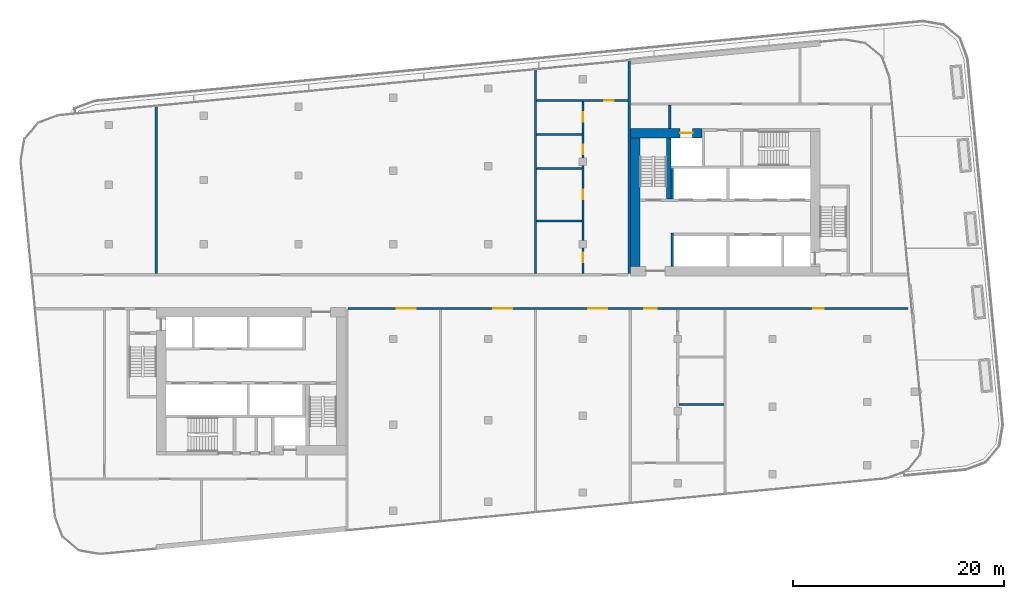
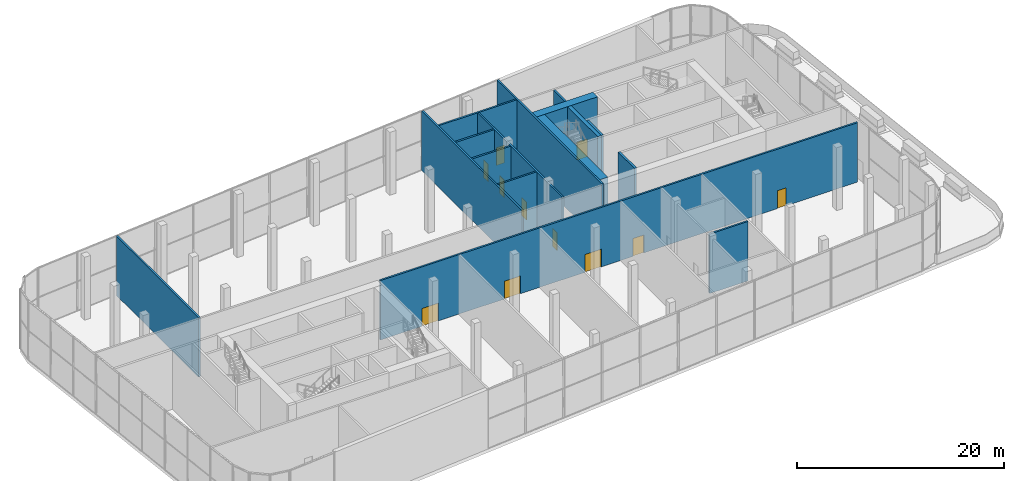
# One storey, part 14 of 25: 16 walls, 11 doors, 11 openings.
"""IFC4 building model written with IfcOpenShell, lengths in metres."""

from ifc_helpers import new_model, si_unit, direction, frame, frame_2d, origin, place, context, subcontext, project, spatial, rectangle, extrude, material, layer, layer_set, type_object, element, fill, save


model = new_model("IFC4")

# Units and contexts
model_context = context("Model", 3, precision=1e-05, world=origin(), true_north=direction((0.0, 1.0)))
body_context = subcontext(model_context, "Body", "Model", "MODEL_VIEW")
ifc_project = project(units=[si_unit("LENGTHUNIT", "METRE"), si_unit("AREAUNIT", "SQUARE_METRE"), si_unit("VOLUMEUNIT", "CUBIC_METRE"), si_unit("PLANEANGLEUNIT", "RADIAN"), si_unit("MASSUNIT", "GRAM", prefix="KILO")], contexts=[model_context])

# Site, building, storey
site_placement = place(None, origin())
site = spatial("IfcSite", under=ifc_project, at=site_placement, CompositionType="ELEMENT")
building_placement = place(site_placement, origin())
building = spatial("IfcBuilding", under=site, at=building_placement, Name="Kajstack Hotel Tower", CompositionType="ELEMENT")
storey_placement = place(building_placement, frame((0.0, 0.0, 155.0)))
storey = spatial("IfcBuildingStorey", under=building, at=storey_placement, Name="L36", CompositionType="ELEMENT", Elevation=155.0)

# Wall, opening, door
ifc_material_1 = material(Name="Concrete C60/75", Category="concrete")
ifc_layer_1 = layer(ifc_material_1, 0.89990234375)
ifc_layer_set_1 = layer_set([ifc_layer_1], Name="Core wall 900")
wall_type_1 = type_object("IfcWallType", Name="Core wall 900", PredefinedType="SHEAR", material=ifc_layer_set_1)
wall_1_placement = place(storey_placement, frame((13.5, 15.050048828125, 0.0), z_axis=(0.0, 0.0, 1.0), x_axis=(1.0, 0.0, 0.0)))
wall_1 = element("IfcWall", 1, at=wall_1_placement, inside=storey, type_object=wall_type_1, Name="Core wall E RS", PredefinedType="SHEAR", context=body_context, shape_type="SweptSolid", body=[
    extrude(rectangle(XDim=6.800048828125, YDim=0.89990234375, at=frame_2d((3.39990234375, 0.0))), origin(), (0.0, 0.0, 1.0), 7.0),
])
opening_1_placement = place(wall_1_placement, frame((4.72509765625, 0.0, 0.0)))
opening_1 = element("IfcOpeningElement", 2, at=opening_1_placement, cuts=wall_1, Name="Opening LD-SV2", PredefinedType="OPENING", context=body_context, shape_type="SweptSolid", body=[
    extrude(rectangle(XDim=1.199951171875, YDim=2.10009765625, at=frame_2d((0.60009765625, 1.050048828125))), frame((0.0, 0.4599609375, 0.0), z_axis=(0.0, -1.0, 0.0), x_axis=(1.0, 0.0, 0.0)), (0.0, 0.0, 1.0), 0.919921875),
])
ifc_material_2 = material(Name="Stainless steel", Category="steel")
door_type_1 = type_object("IfcDoorType", Name="Lift landing door 1200", OperationType="SLIDING_TO_LEFT", PredefinedType="DOOR", material=ifc_material_2)
door_1_placement = place(opening_1_placement, origin())
door_1 = element("IfcDoor", 3, at=door_1_placement, inside=storey, type_object=door_type_1, Name="Landing door SV2", OperationType="SLIDING_TO_LEFT", OverallHeight=2.10009765625, OverallWidth=1.199951171875, PredefinedType="DOOR", context=body_context, shape_type="SweptSolid", body=[
    extrude(rectangle(XDim=1.199951171875, YDim=2.10009765625, at=frame_2d((0.60009765625, 1.050048828125))), frame((0.0, 0.02490234375, 0.0), z_axis=(0.0, -1.0, 0.0), x_axis=(1.0, 0.0, 0.0)), (0.0, 0.0, 1.0), 0.050048828125),
])
fill(opening_1, door_1)

# Wall
wall_2_placement = place(storey_placement, frame((13.949951171875, 2.39990234375, 0.0), z_axis=(0.0, 0.0, 1.0), x_axis=(0.0, 1.0, 0.0)))
element("IfcWall", 4, at=wall_2_placement, inside=storey, type_object=wall_type_1, Name="Core wall E RE", PredefinedType="SHEAR", context=body_context, shape_type="SweptSolid", body=[
    extrude(rectangle(XDim=12.2001953125, YDim=0.89990234375, at=frame_2d((6.10009765625, 0.0))), origin(), (0.0, 0.0, 1.0), 7.0),
])

# Wall, openings, doors
ifc_material_3 = material(Name="Gypsum board on steel studs, mineral wool", Category="steel")
ifc_layer_2 = layer(ifc_material_3, 0.199951171875)
ifc_layer_set_2 = layer_set([ifc_layer_2], Name="Public partition 200")
wall_type_2 = type_object("IfcWallType", Name="Public partition 200", PredefinedType="PARTITIONING", material=ifc_layer_set_2)
wall_3_placement = place(storey_placement, frame((9.0, 1.699951171875, 0.0), z_axis=(0.0, 0.0, 1.0), x_axis=(0.0, 1.0, 0.0)))
wall_3 = element("IfcWall", 5, at=wall_3_placement, inside=storey, type_object=wall_type_2, Name="Partition C0CW", PredefinedType="PARTITIONING", context=body_context, shape_type="SweptSolid", body=[
    extrude(rectangle(XDim=16.351318359375, YDim=0.199951171875, at=frame_2d((8.17578125, 0.0))), origin(), (0.0, 0.0, 1.0), 7.0),
])
opening_2_placement = place(wall_3_placement, frame((1.10009765625, 0.0, 0.0)))
opening_2 = element("IfcOpeningElement", 6, at=opening_2_placement, cuts=wall_3, Name="Opening 36P02", PredefinedType="OPENING", context=body_context, shape_type="SweptSolid", body=[
    extrude(rectangle(XDim=0.89990234375, YDim=2.10009765625, at=frame_2d((0.449951171875, 1.050048828125))), frame((0.0, 0.10986328125, 0.0), z_axis=(0.0, -1.0, 0.0), x_axis=(1.0, 0.0, 0.0)), (0.0, 0.0, 1.0), 0.219970703125),
])
opening_3_placement = place(wall_3_placement, frame((7.050048828125, 0.0, 0.0)))
opening_3 = element("IfcOpeningElement", 7, at=opening_3_placement, cuts=wall_3, Name="Opening 36P03", PredefinedType="OPENING", context=body_context, shape_type="SweptSolid", body=[
    extrude(rectangle(XDim=0.89990234375, YDim=2.10009765625, at=frame_2d((0.449951171875, 1.050048828125))), frame((0.0, 0.10986328125, 0.0), z_axis=(0.0, -1.0, 0.0), x_axis=(1.0, 0.0, 0.0)), (0.0, 0.0, 1.0), 0.219970703125),
])
opening_4_placement = place(wall_3_placement, frame((11.35009765625, 0.0, 0.0)))
opening_4 = element("IfcOpeningElement", 8, at=opening_4_placement, cuts=wall_3, Name="Opening 36P04", PredefinedType="OPENING", context=body_context, shape_type="SweptSolid", body=[
    extrude(rectangle(XDim=0.89990234375, YDim=2.10009765625, at=frame_2d((0.449951171875, 1.050048828125))), frame((0.0, 0.10986328125, 0.0), z_axis=(0.0, -1.0, 0.0), x_axis=(1.0, 0.0, 0.0)), (0.0, 0.0, 1.0), 0.219970703125),
])
opening_5_placement = place(wall_3_placement, frame((14.426025390625, 0.0, 0.0)))
opening_5 = element("IfcOpeningElement", 9, at=opening_5_placement, cuts=wall_3, Name="Opening 36P05", PredefinedType="OPENING", context=body_context, shape_type="SweptSolid", body=[
    extrude(rectangle(XDim=0.89990234375, YDim=2.10009765625, at=frame_2d((0.449951171875, 1.050048828125))), frame((0.0, 0.10986328125, 0.0), z_axis=(0.0, -1.0, 0.0), x_axis=(1.0, 0.0, 0.0)), (0.0, 0.0, 1.0), 0.219970703125),
])
ifc_material_4 = material(Name="Timber leaf", Category="wood")
door_type_2 = type_object("IfcDoorType", Name="Public room door 900", OperationType="SINGLE_SWING_LEFT", PredefinedType="DOOR", material=ifc_material_4)
door_2_placement = place(opening_2_placement, origin())
door_2 = element("IfcDoor", 10, at=door_2_placement, inside=storey, type_object=door_type_2, Name="Door 36P02", OperationType="SINGLE_SWING_LEFT", OverallHeight=2.10009765625, OverallWidth=0.89990234375, PredefinedType="DOOR", context=body_context, shape_type="SweptSolid", body=[
    extrude(rectangle(XDim=0.89990234375, YDim=2.10009765625, at=frame_2d((0.449951171875, 1.050048828125))), frame((0.0, 0.02490234375, 0.0), z_axis=(0.0, -1.0, 0.0), x_axis=(1.0, 0.0, 0.0)), (0.0, 0.0, 1.0), 0.050048828125),
])
fill(opening_2, door_2)
door_3_placement = place(opening_3_placement, origin())
door_3 = element("IfcDoor", 11, at=door_3_placement, inside=storey, type_object=door_type_2, Name="Door 36P03", OperationType="SINGLE_SWING_LEFT", OverallHeight=2.10009765625, OverallWidth=0.89990234375, PredefinedType="DOOR", context=body_context, shape_type="SweptSolid", body=[
    extrude(rectangle(XDim=0.89990234375, YDim=2.10009765625, at=frame_2d((0.449951171875, 1.050048828125))), frame((0.0, 0.02490234375, 0.0), z_axis=(0.0, -1.0, 0.0), x_axis=(1.0, 0.0, 0.0)), (0.0, 0.0, 1.0), 0.050048828125),
])
fill(opening_3, door_3)
door_4_placement = place(opening_4_placement, origin())
door_4 = element("IfcDoor", 12, at=door_4_placement, inside=storey, type_object=door_type_2, Name="Door 36P04", OperationType="SINGLE_SWING_LEFT", OverallHeight=2.10009765625, OverallWidth=0.89990234375, PredefinedType="DOOR", context=body_context, shape_type="SweptSolid", body=[
    extrude(rectangle(XDim=0.89990234375, YDim=2.10009765625, at=frame_2d((0.449951171875, 1.050048828125))), frame((0.0, 0.02490234375, 0.0), z_axis=(0.0, -1.0, 0.0), x_axis=(1.0, 0.0, 0.0)), (0.0, 0.0, 1.0), 0.050048828125),
])
fill(opening_4, door_4)
door_5_placement = place(opening_5_placement, origin())
door_5 = element("IfcDoor", 13, at=door_5_placement, inside=storey, type_object=door_type_2, Name="Door 36P05", OperationType="SINGLE_SWING_LEFT", OverallHeight=2.10009765625, OverallWidth=0.89990234375, PredefinedType="DOOR", context=body_context, shape_type="SweptSolid", body=[
    extrude(rectangle(XDim=0.89990234375, YDim=2.10009765625, at=frame_2d((0.449951171875, 1.050048828125))), frame((0.0, 0.02490234375, 0.0), z_axis=(0.0, -1.0, 0.0), x_axis=(1.0, 0.0, 0.0)), (0.0, 0.0, 1.0), 0.050048828125),
])
fill(opening_5, door_5)

# Walls
for number, where, z_axis, x_axis, name in (
    (14, (4.60009765625, 6.699951171875, 0.0), (0.0, 0.0, 1.0), (1.0, 0.0, 0.0), "Partition C0wP0"),
    (15, (4.60009765625, 11.699951171875, 0.0), (0.0, 0.0, 1.0), (1.0, 0.0, 0.0), "Partition C0wP1"),
    (16, (4.60009765625, 14.89990234375, 0.0), (0.0, 0.0, 1.0), (1.0, 0.0, 0.0), "Partition C0wP2"),
):
    element("IfcWall", number, at=place(storey_placement, frame(where, z_axis=z_axis, x_axis=x_axis)), inside=storey, type_object=wall_type_2, Name=name, PredefinedType="PARTITIONING", context=body_context, shape_type="SweptSolid", body=[
        extrude(rectangle(XDim=4.2998046875, YDim=0.199951171875, at=frame_2d((2.14990234375, 0.0))), origin(), (0.0, 0.0, 1.0), 7.0),
    ])

# Wall, opening, door
wall_4_placement = place(storey_placement, frame((4.60009765625, 18.151123046875, 0.0), z_axis=(0.0, 0.0, 1.0), x_axis=(1.0, 0.0, 0.0)))
wall_4 = element("IfcWall", 17, at=wall_4_placement, inside=storey, type_object=wall_type_2, Name="Partition C0BW", PredefinedType="PARTITIONING", context=body_context, shape_type="SweptSolid", body=[
    extrude(rectangle(XDim=8.699951171875, YDim=0.199951171875, at=frame_2d((4.35009765625, 0.0))), origin(), (0.0, 0.0, 1.0), 7.0),
])
opening_6_placement = place(wall_4_placement, frame((6.449951171875, 0.0, 0.0)))
opening_6 = element("IfcOpeningElement", 18, at=opening_6_placement, cuts=wall_4, Name="Opening 36P06", PredefinedType="OPENING", context=body_context, shape_type="SweptSolid", body=[
    extrude(rectangle(XDim=0.89990234375, YDim=2.10009765625, at=frame_2d((0.449951171875, 1.050048828125))), frame((0.0, 0.10986328125, 0.0), z_axis=(0.0, -1.0, 0.0), x_axis=(1.0, 0.0, 0.0)), (0.0, 0.0, 1.0), 0.219970703125),
])
door_6_placement = place(opening_6_placement, origin())
door_6 = element("IfcDoor", 19, at=door_6_placement, inside=storey, type_object=door_type_2, Name="Door 36P06", OperationType="SINGLE_SWING_LEFT", OverallHeight=2.10009765625, OverallWidth=0.89990234375, PredefinedType="DOOR", context=body_context, shape_type="SweptSolid", body=[
    extrude(rectangle(XDim=0.89990234375, YDim=2.10009765625, at=frame_2d((0.449951171875, 1.050048828125))), frame((0.0, 0.02490234375, 0.0), z_axis=(0.0, -1.0, 0.0), x_axis=(1.0, 0.0, 0.0)), (0.0, 0.0, 1.0), 0.050048828125),
])
fill(opening_6, door_6)

# Walls
wall_5_placement = place(storey_placement, frame((4.5, 1.699951171875, 0.0), z_axis=(0.0, 0.0, 1.0), x_axis=(0.0, 1.0, 0.0)))
element("IfcWall", 20, at=wall_5_placement, inside=storey, type_object=wall_type_2, Name="Partition PX0", PredefinedType="PARTITIONING", context=body_context, shape_type="SweptSolid", body=[
    extrude(rectangle(XDim=19.32421875, YDim=0.199951171875, at=frame_2d((9.662109375, 0.0))), origin(), (0.0, 0.0, 1.0), 7.0),
])
wall_6_placement = place(storey_placement, frame((-31.5, 1.699951171875, 0.0), z_axis=(0.0, 0.0, 1.0), x_axis=(0.0, 1.0, 0.0)))
element("IfcWall", 21, at=wall_6_placement, inside=storey, type_object=wall_type_2, Name="Partition PX1", PredefinedType="PARTITIONING", context=body_context, shape_type="SweptSolid", body=[
    extrude(rectangle(XDim=15.85791015625, YDim=0.199951171875, at=frame_2d((7.928955078125, 0.0))), origin(), (0.0, 0.0, 1.0), 7.0),
])
wall_7_placement = place(storey_placement, frame((13.39990234375, 1.699951171875, 0.0), z_axis=(0.0, 0.0, 1.0), x_axis=(0.0, 1.0, 0.0)))
element("IfcWall", 22, at=wall_7_placement, inside=storey, type_object=wall_type_2, Name="Partition EW", PredefinedType="PARTITIONING", context=body_context, shape_type="SweptSolid", body=[
    extrude(rectangle(XDim=20.18115234375, YDim=0.199951171875, at=frame_2d((10.090576171875, 0.0))), origin(), (0.0, 0.0, 1.0), 7.0),
])
wall_8_placement = place(storey_placement, frame((18.10009765625, -10.699951171875, 0.0), z_axis=(0.0, 0.0, 1.0), x_axis=(1.0, 0.0, 0.0)))
element("IfcWall", 23, at=wall_8_placement, inside=storey, type_object=wall_type_2, Name="Partition SC3wP1", PredefinedType="PARTITIONING", context=body_context, shape_type="SweptSolid", body=[
    extrude(rectangle(XDim=4.2998046875, YDim=0.199951171875, at=frame_2d((2.14990234375, 0.0))), origin(), (0.0, 0.0, 1.0), 7.0),
])

# Wall, openings, doors
wall_9_placement = place(storey_placement, frame((-13.300048828125, -1.60009765625, 0.0), z_axis=(0.0, 0.0, 1.0), x_axis=(1.0, 0.0, 0.0)))
wall_9 = element("IfcWall", 24, at=wall_9_placement, inside=storey, type_object=wall_type_2, Name="Partition SFW", PredefinedType="PARTITIONING", context=body_context, shape_type="SweptSolid", body=[
    extrude(rectangle(XDim=53.145751953125, YDim=0.199951171875, at=frame_2d((26.57275390625, 0.0))), origin(), (0.0, 0.0, 1.0), 7.0),
])
opening_7_placement = place(wall_9_placement, frame((4.64990234375, 0.0, 0.0)))
opening_7 = element("IfcOpeningElement", 25, at=opening_7_placement, cuts=wall_9, Name="Opening 36P10", PredefinedType="OPENING", context=body_context, shape_type="SweptSolid", body=[
    extrude(rectangle(XDim=1.800048828125, YDim=2.10009765625, at=frame_2d((0.89990234375, 1.050048828125))), frame((0.0, 0.10986328125, 0.0), z_axis=(0.0, -1.0, 0.0), x_axis=(1.0, 0.0, 0.0)), (0.0, 0.0, 1.0), 0.219970703125),
])
opening_8_placement = place(wall_9_placement, frame((13.800048828125, 0.0, 0.0)))
opening_8 = element("IfcOpeningElement", 26, at=opening_8_placement, cuts=wall_9, Name="Opening 36P11", PredefinedType="OPENING", context=body_context, shape_type="SweptSolid", body=[
    extrude(rectangle(XDim=1.800048828125, YDim=2.10009765625, at=frame_2d((0.89990234375, 1.050048828125))), frame((0.0, 0.10986328125, 0.0), z_axis=(0.0, -1.0, 0.0), x_axis=(1.0, 0.0, 0.0)), (0.0, 0.0, 1.0), 0.219970703125),
])
opening_9_placement = place(wall_9_placement, frame((22.800048828125, 0.0, 0.0)))
opening_9 = element("IfcOpeningElement", 27, at=opening_9_placement, cuts=wall_9, Name="Opening 36P12", PredefinedType="OPENING", context=body_context, shape_type="SweptSolid", body=[
    extrude(rectangle(XDim=1.800048828125, YDim=2.10009765625, at=frame_2d((0.89990234375, 1.050048828125))), frame((0.0, 0.10986328125, 0.0), z_axis=(0.0, -1.0, 0.0), x_axis=(1.0, 0.0, 0.0)), (0.0, 0.0, 1.0), 0.219970703125),
])
opening_10_placement = place(wall_9_placement, frame((28.125, 0.0, 0.0)))
opening_10 = element("IfcOpeningElement", 28, at=opening_10_placement, cuts=wall_9, Name="Opening 36P13", PredefinedType="OPENING", context=body_context, shape_type="SweptSolid", body=[
    extrude(rectangle(XDim=1.199951171875, YDim=2.10009765625, at=frame_2d((0.60009765625, 1.050048828125))), frame((0.0, 0.10986328125, 0.0), z_axis=(0.0, -1.0, 0.0), x_axis=(1.0, 0.0, 0.0)), (0.0, 0.0, 1.0), 0.219970703125),
])
opening_11_placement = place(wall_9_placement, frame((44.18701171875, 0.0, 0.0)))
opening_11 = element("IfcOpeningElement", 29, at=opening_11_placement, cuts=wall_9, Name="Opening 36P18", PredefinedType="OPENING", context=body_context, shape_type="SweptSolid", body=[
    extrude(rectangle(XDim=1.0, YDim=2.10009765625, at=frame_2d((0.5, 1.050048828125))), frame((0.0, 0.10986328125, 0.0), z_axis=(0.0, -1.0, 0.0), x_axis=(1.0, 0.0, 0.0)), (0.0, 0.0, 1.0), 0.219970703125),
])
ifc_material_5 = material(Name="Timber leaf, fire-rated", Category="wood")
door_type_3 = type_object("IfcDoorType", Name="Public corridor door 1200", OperationType="SINGLE_SWING_LEFT", PredefinedType="DOOR", material=ifc_material_5)
door_7_placement = place(opening_10_placement, origin())
door_7 = element("IfcDoor", 30, at=door_7_placement, inside=storey, type_object=door_type_3, Name="Door 36P13", OperationType="SINGLE_SWING_RIGHT", OverallHeight=2.10009765625, OverallWidth=1.199951171875, PredefinedType="DOOR", context=body_context, shape_type="SweptSolid", body=[
    extrude(rectangle(XDim=1.199951171875, YDim=2.10009765625, at=frame_2d((0.60009765625, 1.050048828125))), frame((0.0, 0.02490234375, 0.0), z_axis=(0.0, -1.0, 0.0), x_axis=(1.0, 0.0, 0.0)), (0.0, 0.0, 1.0), 0.050048828125),
])
fill(opening_10, door_7)
ifc_material_6 = material(Name="Glazed timber frame, fire-rated glass", Category="wood")
door_type_4 = type_object("IfcDoorType", Name="Public double door 1800", OperationType="DOUBLE_DOOR_DOUBLE_SWING", PredefinedType="DOOR", material=ifc_material_6)
door_8_placement = place(opening_7_placement, origin())
door_8 = element("IfcDoor", 31, at=door_8_placement, inside=storey, type_object=door_type_4, Name="Door 36P10", OperationType="DOUBLE_DOOR_DOUBLE_SWING", OverallHeight=2.10009765625, OverallWidth=1.800048828125, PredefinedType="DOOR", context=body_context, shape_type="SweptSolid", body=[
    extrude(rectangle(XDim=1.800048828125, YDim=2.10009765625, at=frame_2d((0.89990234375, 1.050048828125))), frame((0.0, 0.02490234375, 0.0), z_axis=(0.0, -1.0, 0.0), x_axis=(1.0, 0.0, 0.0)), (0.0, 0.0, 1.0), 0.050048828125),
])
fill(opening_7, door_8)
door_9_placement = place(opening_8_placement, origin())
door_9 = element("IfcDoor", 32, at=door_9_placement, inside=storey, type_object=door_type_4, Name="Door 36P11", OperationType="DOUBLE_DOOR_DOUBLE_SWING", OverallHeight=2.10009765625, OverallWidth=1.800048828125, PredefinedType="DOOR", context=body_context, shape_type="SweptSolid", body=[
    extrude(rectangle(XDim=1.800048828125, YDim=2.10009765625, at=frame_2d((0.89990234375, 1.050048828125))), frame((0.0, 0.02490234375, 0.0), z_axis=(0.0, -1.0, 0.0), x_axis=(1.0, 0.0, 0.0)), (0.0, 0.0, 1.0), 0.050048828125),
])
fill(opening_8, door_9)
door_10_placement = place(opening_9_placement, origin())
door_10 = element("IfcDoor", 33, at=door_10_placement, inside=storey, type_object=door_type_4, Name="Door 36P12", OperationType="DOUBLE_DOOR_DOUBLE_SWING", OverallHeight=2.10009765625, OverallWidth=1.800048828125, PredefinedType="DOOR", context=body_context, shape_type="SweptSolid", body=[
    extrude(rectangle(XDim=1.800048828125, YDim=2.10009765625, at=frame_2d((0.89990234375, 1.050048828125))), frame((0.0, 0.02490234375, 0.0), z_axis=(0.0, -1.0, 0.0), x_axis=(1.0, 0.0, 0.0)), (0.0, 0.0, 1.0), 0.050048828125),
])
fill(opening_9, door_10)
door_type_5 = type_object("IfcDoorType", Name="Public room door 1000", OperationType="SINGLE_SWING_LEFT", PredefinedType="DOOR", material=ifc_material_4)
door_11_placement = place(opening_11_placement, origin())
door_11 = element("IfcDoor", 34, at=door_11_placement, inside=storey, type_object=door_type_5, Name="Door 36P18", OperationType="SINGLE_SWING_RIGHT", OverallHeight=2.10009765625, OverallWidth=1.0, PredefinedType="DOOR", context=body_context, shape_type="SweptSolid", body=[
    extrude(rectangle(XDim=1.0, YDim=2.10009765625, at=frame_2d((0.5, 1.050048828125))), frame((0.0, 0.02490234375, 0.0), z_axis=(0.0, -1.0, 0.0), x_axis=(1.0, 0.0, 0.0)), (0.0, 0.0, 1.0), 0.050048828125),
])
fill(opening_11, door_11)

# Walls
ifc_layer_3 = layer(ifc_material_3, 0.199951171875)
ifc_layer_set_3 = layer_set([ifc_layer_3], Name="Service partition 200")
wall_type_3 = type_object("IfcWallType", Name="Service partition 200", PredefinedType="PARTITIONING", material=ifc_layer_set_3)
wall_10_placement = place(storey_placement, frame((17.25, 15.5, 0.0), z_axis=(0.0, 0.0, 1.0), x_axis=(0.0, 1.0, 0.0)))
element("IfcWall", 35, at=wall_10_placement, inside=storey, type_object=wall_type_3, Name="Partition E SCE", PredefinedType="PARTITIONING", context=body_context, shape_type="SweptSolid", body=[
    extrude(rectangle(XDim=2.199951171875, YDim=0.199951171875, at=frame_2d((1.10009765625, 0.0))), origin(), (0.0, 0.0, 1.0), 7.0),
])
ifc_material_7 = material(Name="Concrete C50/60", Category="concrete")
ifc_layer_4 = layer(ifc_material_7, 0.25)
ifc_layer_set_4 = layer_set([ifc_layer_4], Name="Shaft wall 250")
wall_type_4 = type_object("IfcWallType", Name="Shaft wall 250", PredefinedType="SHEAR", material=ifc_layer_set_4)
wall_11_placement = place(storey_placement, frame((17.47509765625, 2.39990234375, 0.0), z_axis=(0.0, 0.0, 1.0), x_axis=(0.0, 1.0, 0.0)))
element("IfcWall", 36, at=wall_11_placement, inside=storey, type_object=wall_type_4, Name="Core wall E AE", PredefinedType="SHEAR", context=body_context, shape_type="SweptSolid", body=[
    extrude(rectangle(XDim=3.150146484375, YDim=0.25, at=frame_2d((1.5751953125, 0.0))), origin(), (0.0, 0.0, 1.0), 7.0),
])
wall_12_placement = place(storey_placement, frame((17.47509765625, 8.800048828125, 0.0), z_axis=(0.0, 0.0, 1.0), x_axis=(0.0, 1.0, 0.0)))
element("IfcWall", 37, at=wall_12_placement, inside=storey, type_object=wall_type_4, Name="Core wall E BE", PredefinedType="SHEAR", context=body_context, shape_type="SweptSolid", body=[
    extrude(rectangle(XDim=2.89990234375, YDim=0.25, at=frame_2d((1.449951171875, 0.0))), origin(), (0.0, 0.0, 1.0), 7.0),
])
ifc_layer_5 = layer(ifc_material_7, 0.39990234375)
ifc_layer_set_5 = layer_set([ifc_layer_5], Name="Stair wall 400")
wall_type_5 = type_object("IfcWallType", Name="Stair wall 400", PredefinedType="SHEAR", material=ifc_layer_set_5)
wall_13_placement = place(storey_placement, frame((17.14990234375, 8.800048828125, 0.0), z_axis=(0.0, 0.0, 1.0), x_axis=(0.0, 1.0, 0.0)))
element("IfcWall", 38, at=wall_13_placement, inside=storey, type_object=wall_type_5, Name="Core wall E WW2", PredefinedType="SHEAR", context=body_context, shape_type="SweptSolid", body=[
    extrude(rectangle(XDim=5.800048828125, YDim=0.39990234375, at=frame_2d((2.89990234375, 0.0))), origin(), (0.0, 0.0, 1.0), 7.0),
])

save(model, "model.ifc")
